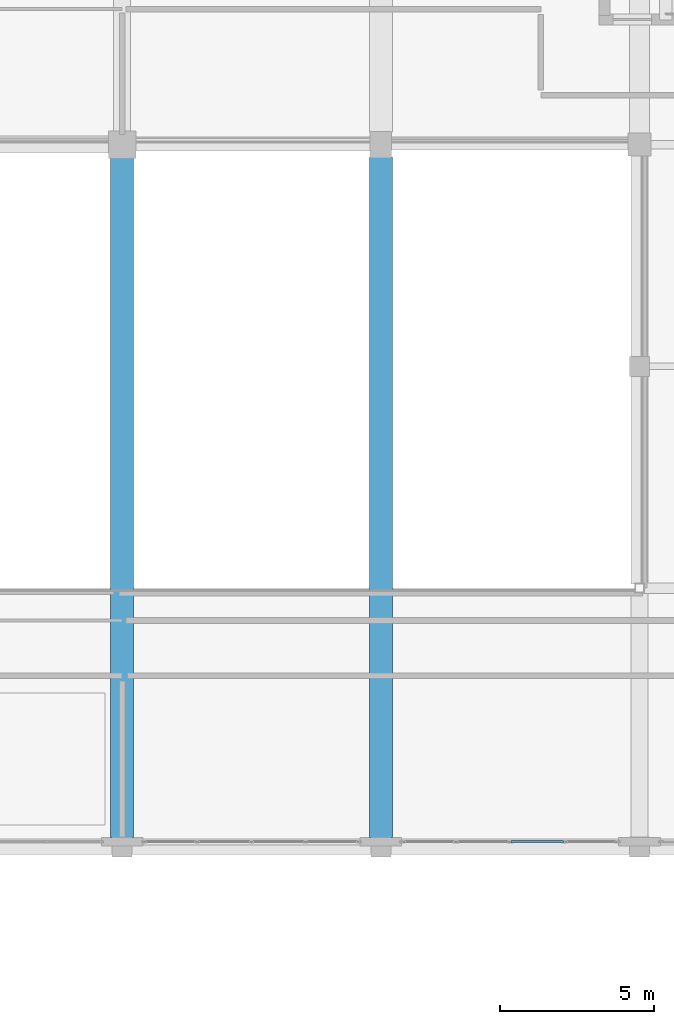
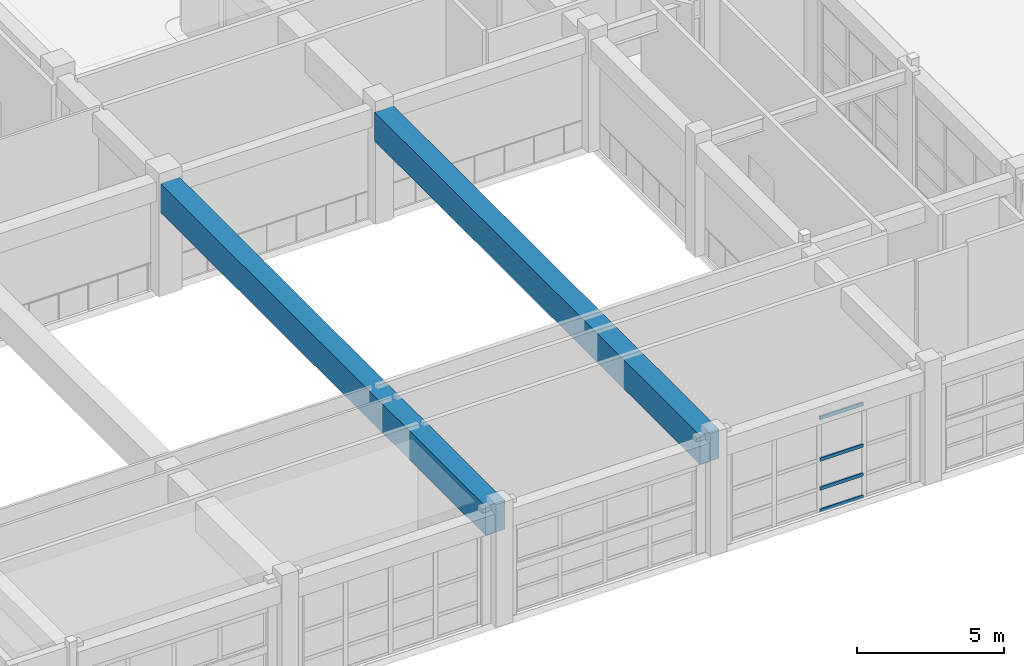
# One storey, part 38 of 78: 4 members, 2 beams, 1 element without a shape of its own.
"""IFC4 building model written with IfcOpenShell, lengths in metres."""

from ifc_helpers import new_model, si_unit, direction, frame, origin, origin_2d, place, context, subcontext, project, spatial, rectangle, hollow_rectangle, extrude, material, layer, layer_set, material_profile, profile_set, type_object, element, aggregate, save


model = new_model("IFC4")

# Units and contexts
model_context = context("Model", 3, precision=1e-05, world=origin(), true_north=direction((0.0, 1.0)))
body_context = subcontext(model_context, "Body", "Model", "MODEL_VIEW")
ifc_project = project(units=[si_unit("LENGTHUNIT", "METRE"), si_unit("AREAUNIT", "SQUARE_METRE"), si_unit("VOLUMEUNIT", "CUBIC_METRE"), si_unit("PLANEANGLEUNIT", "RADIAN"), si_unit("MASSUNIT", "GRAM", prefix="KILO")], contexts=[model_context])

# Site, building, storey
site_placement = place(None, origin())
site = spatial("IfcSite", under=ifc_project, at=site_placement, CompositionType="ELEMENT")
building_placement = place(site_placement, origin())
building = spatial("IfcBuilding", under=site, at=building_placement, Name="Quendrovan Civic Courthouse", CompositionType="ELEMENT")
storey_placement = place(building_placement, frame((0.0, 0.0, 10.199951171875)))
storey = spatial("IfcBuildingStorey", under=building, at=storey_placement, Name="L03", CompositionType="ELEMENT", Elevation=10.199951171875)

# Beams
ifc_material_1 = material(Name="Post-tensioned concrete C50/60", Category="concrete")
ifc_material_profile_1 = material_profile(ifc_material_1, rectangle(XDim=0.75, YDim=1.199951171875, at=origin_2d()), Name="PT-GIRD-750x1200")
ifc_profile_set_1 = profile_set([ifc_material_profile_1], Name="Post-tensioned concrete C50/60")
beam_type = type_object("IfcBeamType", Name="BM-PT1200", PredefinedType="BEAM", material=ifc_profile_set_1)
beam_1_placement = place(storey_placement, frame((67.199951171875, 65.10498046875, 4.06005859375), z_axis=(0.0, 1.0, 0.0), x_axis=(-1.0, 0.0, 0.0)))
element("IfcBeam", 1, at=beam_1_placement, inside=storey, type_object=beam_type, Name="L03 Girder Y0844", PredefinedType="BEAM", context=body_context, shape_type="SweptSolid", body=[
    extrude(rectangle(XDim=0.75, YDim=1.199951171875, at=origin_2d()), origin(), (0.0, 0.0, 1.0), 22.06494140625),
])
beam_2_placement = place(storey_placement, frame((75.60009765625, 65.10498046875, 4.06005859375), z_axis=(0.0, 1.0, 0.0), x_axis=(-1.0, 0.0, 0.0)))
element("IfcBeam", 2, at=beam_2_placement, inside=storey, type_object=beam_type, Name="L03 Girder Y0848", PredefinedType="BEAM", context=body_context, shape_type="SweptSolid", body=[
    extrude(rectangle(XDim=0.75, YDim=1.199951171875, at=origin_2d()), origin(), (0.0, 0.0, 1.0), 22.090087890625),
])

# Curtain wall, members
ifc_material_2 = material(Name="Bronze anodised aluminium and low-E glass", Category="aluminium")
ifc_layer = layer(ifc_material_2, 0.179931640625, Name="Bronze anodised aluminium and low-E glass")
ifc_layer_set = layer_set([ifc_layer], Name="Bronze anodised aluminium and low-E glass")
curtain_wall_type = type_object("IfcCurtainWallType", Name="CW-U70x39", PredefinedType="USERDEFINED", material=ifc_layer_set)
curtain_wall_placement = place(storey_placement, origin())
curtain_wall = element("IfcCurtainWall", 3, at=curtain_wall_placement, inside=storey, type_object=curtain_wall_type, Name="L03 Unitised Hurricane Curtain Wall CW-132", ObjectType="UNITISED CURTAIN WALL", PredefinedType="USERDEFINED")
ifc_material_3 = material(Name="Bronze anodised aluminium", Category="aluminium")
ifc_material_profile_2 = material_profile(ifc_material_3, hollow_rectangle(XDim=0.070068359375, YDim=0.139892578125, WallThickness=0.00390625, at=origin_2d()), Name="CW-TRAN-70x140")
ifc_profile_set_2 = profile_set([ifc_material_profile_2], Name="Bronze anodised aluminium")
member_type = type_object("IfcMemberType", Name="CW-TRAN-A", PredefinedType="USERDEFINED", material=ifc_profile_set_2)
member_1_placement = place(storey_placement, frame((81.527587890625, 64.965087890625, 0.03515625), z_axis=(-1.0, 0.0, 0.0), x_axis=(0.0, -1.0, 0.0)))
member_1 = element("IfcMember", 4, at=member_1_placement, type_object=member_type, Name="CW-132 transom 2.1", ObjectType="TRANSOM", PredefinedType="USERDEFINED", context=body_context, shape_type="SweptSolid", body=[
    extrude(hollow_rectangle(XDim=0.070068359375, YDim=0.139892578125, WallThickness=0.00390625, at=origin_2d()), origin(), (0.0, 0.0, 1.0), 1.692626953125),
])
member_2_placement = place(storey_placement, frame((81.527587890625, 64.965087890625, 0.949951171875), z_axis=(-1.0, 0.0, 0.0), x_axis=(0.0, -1.0, 0.0)))
member_2 = element("IfcMember", 5, at=member_2_placement, type_object=member_type, Name="CW-132 transom 2.2", ObjectType="TRANSOM", PredefinedType="USERDEFINED", context=body_context, shape_type="SweptSolid", body=[
    extrude(hollow_rectangle(XDim=0.070068359375, YDim=0.139892578125, WallThickness=0.00390625, at=origin_2d()), origin(), (0.0, 0.0, 1.0), 1.692626953125),
])
member_3_placement = place(storey_placement, frame((81.527587890625, 64.965087890625, 2.150146484375), z_axis=(-1.0, 0.0, 0.0), x_axis=(0.0, -1.0, 0.0)))
member_3 = element("IfcMember", 6, at=member_3_placement, type_object=member_type, Name="CW-132 transom 2.3", ObjectType="TRANSOM", PredefinedType="USERDEFINED", context=body_context, shape_type="SweptSolid", body=[
    extrude(hollow_rectangle(XDim=0.070068359375, YDim=0.139892578125, WallThickness=0.00390625, at=origin_2d()), origin(), (0.0, 0.0, 1.0), 1.692626953125),
])
member_4_placement = place(storey_placement, frame((81.527587890625, 64.965087890625, 3.864990234375), z_axis=(-1.0, 0.0, 0.0), x_axis=(0.0, -1.0, 0.0)))
member_4 = element("IfcMember", 7, at=member_4_placement, type_object=member_type, Name="CW-132 transom 2.4", ObjectType="TRANSOM", PredefinedType="USERDEFINED", context=body_context, shape_type="SweptSolid", body=[
    extrude(hollow_rectangle(XDim=0.070068359375, YDim=0.139892578125, WallThickness=0.00390625, at=origin_2d()), origin(), (0.0, 0.0, 1.0), 1.692626953125),
])
aggregate(curtain_wall, [member_1, member_2, member_3, member_4])

save(model, "model.ifc")
